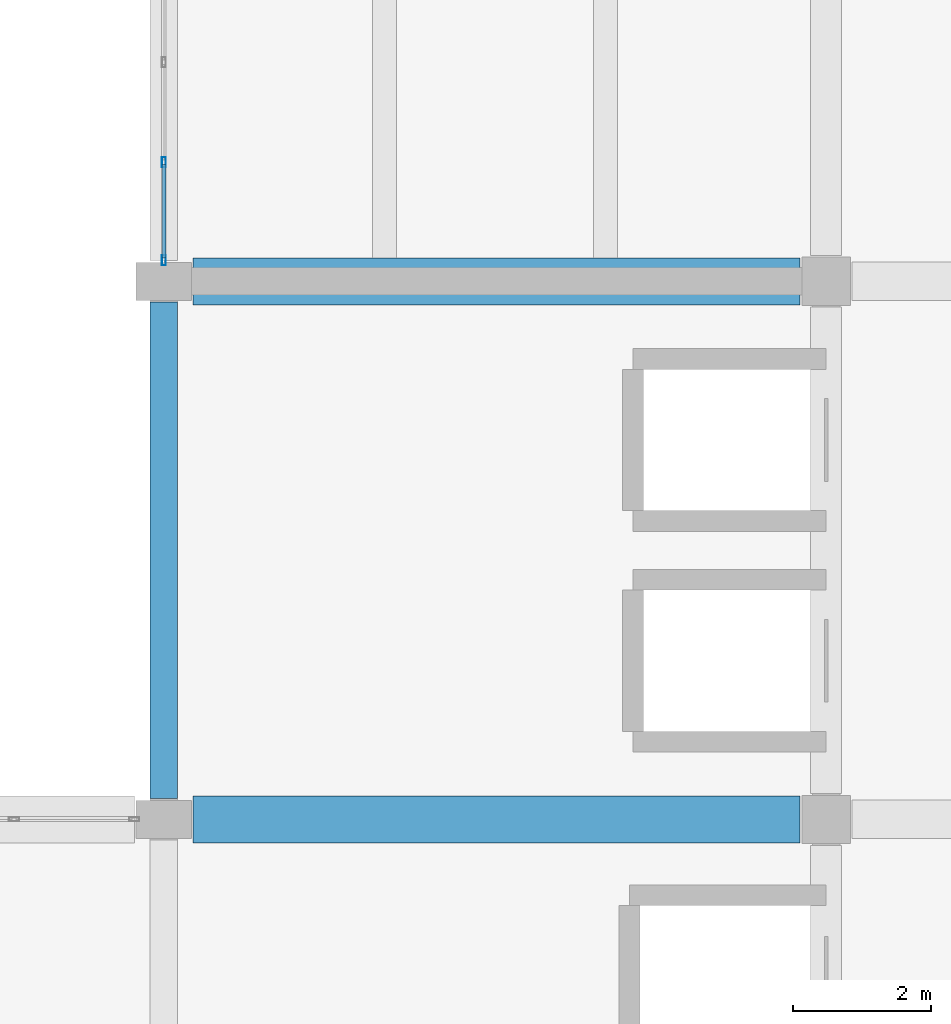
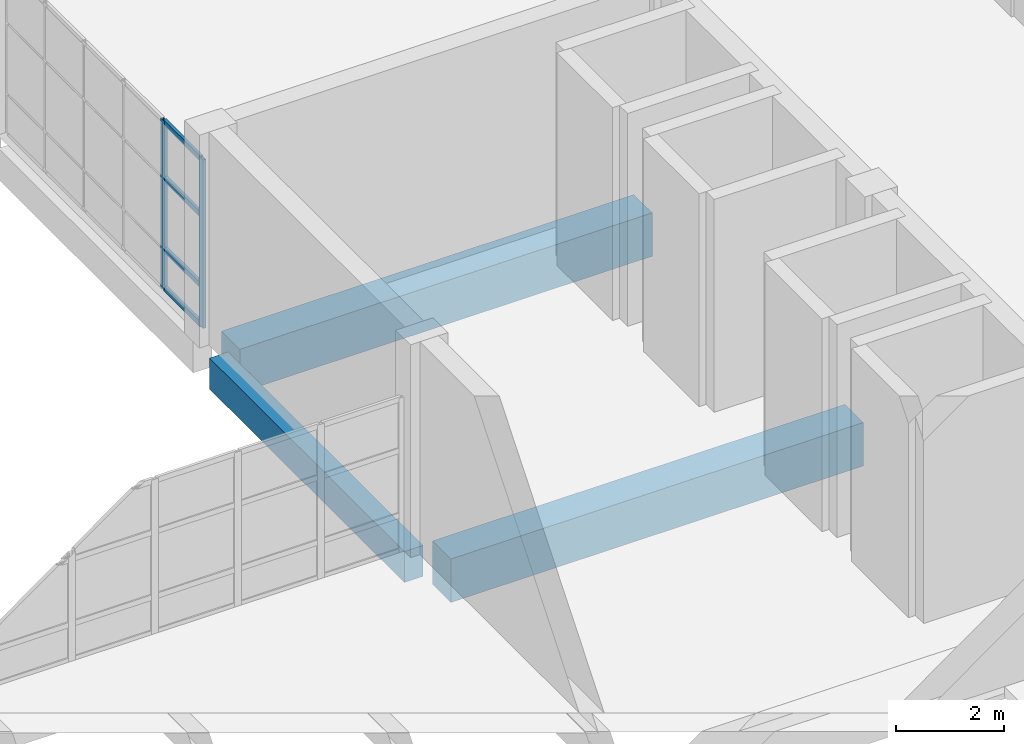
# One storey, part 53 of 91: 6 members, 3 beams, 1 element without a shape of its own.
"""IFC4 building model written with IfcOpenShell, lengths in metres."""

from ifc_helpers import new_model, si_unit, direction, frame, origin, origin_2d, place, context, subcontext, project, spatial, rectangle, hollow_rectangle, extrude, material, material_profile, profile_set, type_object, element, aggregate, save


model = new_model("IFC4")

# Units and contexts
model_context = context("Model", 3, precision=1e-05, world=origin(), true_north=direction((0.0, 1.0)))
body_context = subcontext(model_context, "Body", "Model", "MODEL_VIEW")
ifc_project = project(units=[si_unit("LENGTHUNIT", "METRE"), si_unit("AREAUNIT", "SQUARE_METRE"), si_unit("VOLUMEUNIT", "CUBIC_METRE"), si_unit("PLANEANGLEUNIT", "RADIAN"), si_unit("MASSUNIT", "GRAM", prefix="KILO")], contexts=[model_context])

# Site, building, storey
site_placement = place(None, origin())
site = spatial("IfcSite", under=ifc_project, at=site_placement, CompositionType="ELEMENT")
building_placement = place(site_placement, origin())
building = spatial("IfcBuilding", under=site, at=building_placement, Name="Pellamere Symphony Hall", CompositionType="ELEMENT")
storey_placement = place(building_placement, frame((0.0, 0.0, 5.39990234375)))
storey = spatial("IfcBuildingStorey", under=building, at=storey_placement, Name="L01", CompositionType="ELEMENT", Elevation=5.39990234375)

# Curtain wall, members
ifc_material_1 = material(Name="Thermally Broken Anodised Aluminium 6063-T6 Curtain Wall", Category="aluminium")
curtain_wall_type = type_object("IfcCurtainWallType", Name="Curtain Wall CW-05 (Artists Wing North Studio Ribbon Curtain Wall)", PredefinedType="NOTDEFINED", material=ifc_material_1)
curtain_wall_placement = place(storey_placement, origin())
curtain_wall = element("IfcCurtainWall", 1, at=curtain_wall_placement, inside=storey, type_object=curtain_wall_type, Name="Sculpture Court East Wing Curtain Wall (L01 Bay 1)", PredefinedType="NOTDEFINED")
ifc_material_2 = material(Name="Anodised Architectural Aluminium 6063-T6", Category="aluminium")
ifc_material_profile_1 = material_profile(ifc_material_2, hollow_rectangle(XDim=0.06005859375, YDim=0.14990234375, WallThickness=0.00390625, at=origin_2d()), Name="ALU-M60X150X4")
ifc_profile_set_1 = profile_set([ifc_material_profile_1], Name="Anodised Architectural Aluminium 6063-T6")
member_type_1 = type_object("IfcMemberType", Name="Curtain Wall Mullion ML-03 ALU-M60X150X4", PredefinedType="MULLION", material=ifc_profile_set_1)
member_1_placement = place(storey_placement, frame((138.0, 62.10498046875, 0.0), z_axis=(0.0, 0.0, 1.0), x_axis=(-1.0, 0.0, 0.0)))
member_1 = element("IfcMember", 2, at=member_1_placement, type_object=member_type_1, Name="CW5-132 crystal mullion 1", PredefinedType="MULLION", context=body_context, shape_type="SweptSolid", body=[
    extrude(hollow_rectangle(XDim=0.06005859375, YDim=0.14990234375, WallThickness=0.00390625, at=origin_2d()), origin(), (0.0, 0.0, 1.0), 3.800048828125),
])
member_2_placement = place(storey_placement, frame((138.0, 63.52490234375, 0.0), z_axis=(0.0, 0.0, 1.0), x_axis=(-1.0, 0.0, 0.0)))
member_2 = element("IfcMember", 3, at=member_2_placement, type_object=member_type_1, Name="CW5-132 crystal mullion 2", PredefinedType="MULLION", context=body_context, shape_type="SweptSolid", body=[
    extrude(hollow_rectangle(XDim=0.06005859375, YDim=0.14990234375, WallThickness=0.00390625, at=origin_2d()), origin(), (0.0, 0.0, 1.0), 3.800048828125),
])
ifc_material_profile_2 = material_profile(ifc_material_2, hollow_rectangle(XDim=0.06005859375, YDim=0.1201171875, WallThickness=0.00390625, at=origin_2d()), Name="ALU-T60X120X4")
ifc_profile_set_2 = profile_set([ifc_material_profile_2], Name="Anodised Architectural Aluminium 6063-T6")
member_type_2 = type_object("IfcMemberType", Name="Curtain Wall Transom TR-03 ALU-T60X120X4", PredefinedType="USERDEFINED", material=ifc_profile_set_2)
member_3_placement = place(storey_placement, frame((138.0, 62.135009765625, 0.030029296875), z_axis=(0.0, 1.0, 0.0), x_axis=(-1.0, 0.0, 0.0)))
member_3 = element("IfcMember", 4, at=member_3_placement, type_object=member_type_2, Name="CW5-132 crystal transom 1.1", ObjectType="TRANSOM", PredefinedType="USERDEFINED", context=body_context, shape_type="SweptSolid", body=[
    extrude(hollow_rectangle(XDim=0.06005859375, YDim=0.1201171875, WallThickness=0.00390625, at=origin_2d()), origin(), (0.0, 0.0, 1.0), 1.360107421875),
])
member_4_placement = place(storey_placement, frame((138.0, 62.135009765625, 0.912109375), z_axis=(0.0, 1.0, 0.0), x_axis=(-1.0, 0.0, 0.0)))
member_4 = element("IfcMember", 5, at=member_4_placement, type_object=member_type_2, Name="CW5-132 crystal transom 1.2", ObjectType="TRANSOM", PredefinedType="USERDEFINED", context=body_context, shape_type="SweptSolid", body=[
    extrude(hollow_rectangle(XDim=0.06005859375, YDim=0.1201171875, WallThickness=0.00390625, at=origin_2d()), origin(), (0.0, 0.0, 1.0), 1.360107421875),
])
member_5_placement = place(storey_placement, frame((138.0, 62.135009765625, 2.508056640625), z_axis=(0.0, 1.0, 0.0), x_axis=(-1.0, 0.0, 0.0)))
member_5 = element("IfcMember", 6, at=member_5_placement, type_object=member_type_2, Name="CW5-132 crystal transom 1.3", ObjectType="TRANSOM", PredefinedType="USERDEFINED", context=body_context, shape_type="SweptSolid", body=[
    extrude(hollow_rectangle(XDim=0.06005859375, YDim=0.1201171875, WallThickness=0.00390625, at=origin_2d()), origin(), (0.0, 0.0, 1.0), 1.360107421875),
])
member_6_placement = place(storey_placement, frame((138.0, 62.135009765625, 3.77001953125), z_axis=(0.0, 1.0, 0.0), x_axis=(-1.0, 0.0, 0.0)))
member_6 = element("IfcMember", 7, at=member_6_placement, type_object=member_type_2, Name="CW5-132 crystal transom 1.4", ObjectType="TRANSOM", PredefinedType="USERDEFINED", context=body_context, shape_type="SweptSolid", body=[
    extrude(hollow_rectangle(XDim=0.06005859375, YDim=0.1201171875, WallThickness=0.00390625, at=origin_2d()), origin(), (0.0, 0.0, 1.0), 1.360107421875),
])
aggregate(curtain_wall, [member_1, member_2, member_3, member_4, member_5, member_6])

# Beams
ifc_material_3 = material(Name="Concrete 40 MPa", Category="concrete")
ifc_material_profile_3 = material_profile(ifc_material_3, rectangle(XDim=0.39990234375, YDim=0.699951171875, at=origin_2d()), Name="RC 400x700")
ifc_profile_set_3 = profile_set([ifc_material_profile_3], Name="Concrete 40 MPa")
beam_type_1 = type_object("IfcBeamType", Name="RC CB-13 400x700", PredefinedType="SPANDREL", material=ifc_profile_set_3)
beam_placement = place(storey_placement, frame((138.0, 54.300048828125, -0.6298828125), z_axis=(0.0, 1.0, 0.0), x_axis=(-1.0, 0.0, 0.0)))
element("IfcBeam", 8, at=beam_placement, inside=storey, type_object=beam_type_1, Name="Girder CB-13-Y0845 (L01)", PredefinedType="SPANDREL", context=body_context, shape_type="SweptSolid", body=[
    extrude(rectangle(XDim=0.39990234375, YDim=0.699951171875, at=origin_2d()), origin(), (0.0, 0.0, 1.0), 7.199951171875),
])
ifc_material_profile_4 = material_profile(ifc_material_3, rectangle(XDim=0.679931640625, YDim=0.97998046875, at=origin_2d()), Name="RC 680x980")
ifc_profile_set_4 = profile_set([ifc_material_profile_4], Name="Concrete 40 MPa")
beam_type_2 = type_object("IfcBeamType", Name="RC CB-22 680x980", PredefinedType="BEAM", material=ifc_profile_set_4)
for number, where, z_axis, x_axis, name in (
    (9, (138.425048828125, 54.0, -0.77001953125), (1.0, 0.0, 0.0), (0.0, 1.0, 0.0), "Girder CB-22-X0644 (L01)"),
    (10, (138.425048828125, 61.800048828125, -0.77001953125), (1.0, 0.0, 0.0), (0.0, 1.0, 0.0), "Girder CB-22-X0650 (L01)"),
):
    element("IfcBeam", number, at=place(storey_placement, frame(where, z_axis=z_axis, x_axis=x_axis)), inside=storey, type_object=beam_type_2, Name=name, PredefinedType="BEAM", context=body_context, shape_type="SweptSolid", body=[
        extrude(rectangle(XDim=0.679931640625, YDim=0.97998046875, at=origin_2d()), origin(), (0.0, 0.0, 1.0), 8.800048828125),
    ])

save(model, "model.ifc")
